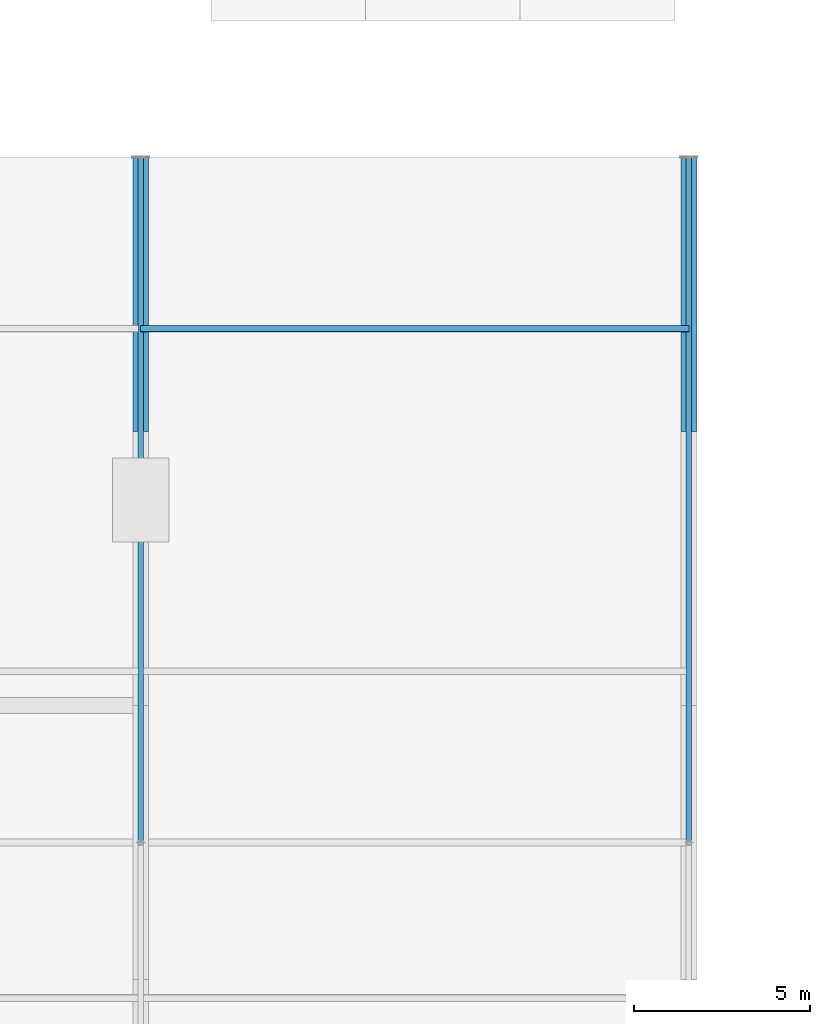
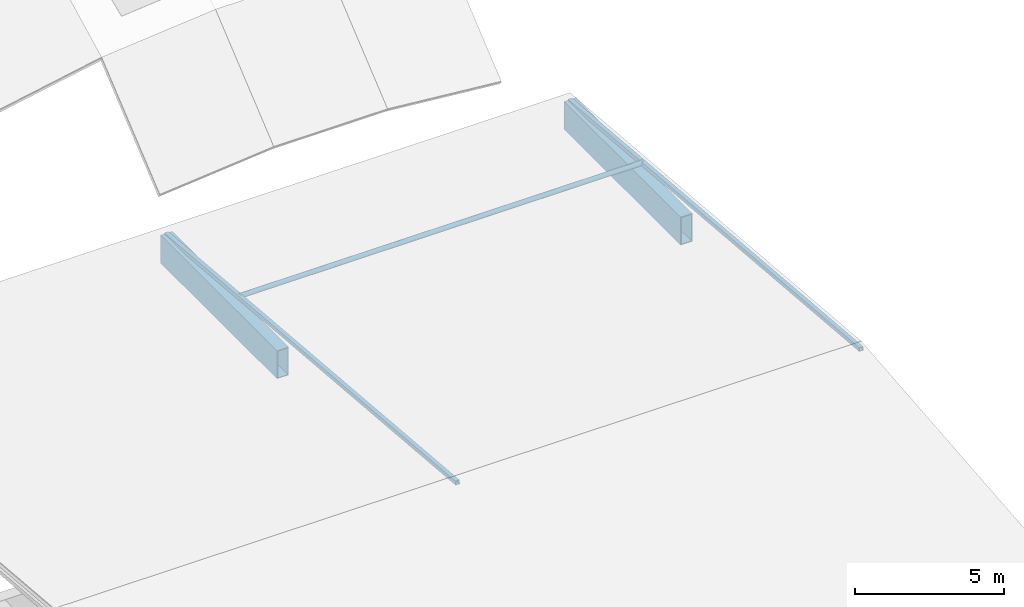
# One storey, part 7 of 45: 3 members, 2 beams.
"""IFC4 building model written with IfcOpenShell, lengths in metres."""

from ifc_helpers import new_model, si_unit, direction, frame, origin, origin_2d, place, context, subcontext, project, spatial, hollow_rectangle, hollow_circle, extrude, material, material_profile, profile_set, type_object, element, save


model = new_model("IFC4")

# Units and contexts
model_context = context("Model", 3, precision=1e-05, world=origin(), true_north=direction((0.0, 1.0)))
body_context = subcontext(model_context, "Body", "Model", "MODEL_VIEW")
ifc_project = project(units=[si_unit("LENGTHUNIT", "METRE"), si_unit("AREAUNIT", "SQUARE_METRE"), si_unit("VOLUMEUNIT", "CUBIC_METRE"), si_unit("PLANEANGLEUNIT", "RADIAN"), si_unit("MASSUNIT", "GRAM", prefix="KILO")], contexts=[model_context])

# Site, building, storey
site_placement = place(None, origin())
site = spatial("IfcSite", under=ifc_project, at=site_placement, CompositionType="ELEMENT")
building_placement = place(site_placement, origin())
building = spatial("IfcBuilding", under=site, at=building_placement, Name="Celorna Specialist Clinic", CompositionType="ELEMENT")
storey_placement = place(building_placement, frame((0.0, 0.0, 18.60009765625)))
storey = spatial("IfcBuildingStorey", under=building, at=storey_placement, Name="L04", CompositionType="ELEMENT", Elevation=18.60009765625)

# Beams
ifc_material = material(Name="Steel S355", Category="steel")
ifc_material_profile_1 = material_profile(ifc_material, hollow_rectangle(XDim=0.449951171875, YDim=1.14990234375, WallThickness=0.031982421875, at=origin_2d()), Name="BOX 450x1150x32")
ifc_profile_set_1 = profile_set([ifc_material_profile_1], Name="Steel S355")
beam_type = type_object("IfcBeamType", Name="BM-01", PredefinedType="BEAM", material=ifc_profile_set_1)
for number, where, z_axis, x_axis, name in (
    (1, (70.199951171875, 35.10009765625, -0.735107421875), (0.0, 1.0, 0.0), (-1.0, 0.0, 0.0), "Cantilever Pratt truss chord WP-047-WP-048"),
    (2, (85.800048828125, 35.10009765625, -0.735107421875), (0.0, 1.0, 0.0), (-1.0, 0.0, 0.0), "Cantilever Pratt truss chord WP-078-WP-079"),
):
    element("IfcBeam", number, at=place(storey_placement, frame(where, z_axis=z_axis, x_axis=x_axis)), inside=storey, type_object=beam_type, Name=name, PredefinedType="BEAM", context=body_context, shape_type="SweptSolid", body=[
        extrude(hollow_rectangle(XDim=0.449951171875, YDim=1.14990234375, WallThickness=0.031982421875, at=origin_2d()), origin(), (0.0, 0.0, 1.0), 7.7998046875),
    ])

# Members
ifc_material_profile_2 = material_profile(ifc_material, hollow_circle(Radius=0.096923828125, WallThickness=0.010009765625, at=origin_2d()), Name="CHS 193.7x10")
ifc_profile_set_2 = profile_set([ifc_material_profile_2], Name="Steel S355")
member_type_1 = type_object("IfcMemberType", Name="MB-04", PredefinedType="PURLIN", material=ifc_profile_set_2)
member_placement = place(storey_placement, frame((70.199951171875, 38.02490234375, 0.225341796875), z_axis=(1.0, 0.0, 0.0), x_axis=(0.0, 1.0, 0.0)))
element("IfcMember", 3, at=member_placement, inside=storey, type_object=member_type_1, Name="Roof purlin WP-324-WP-325", PredefinedType="PURLIN", context=body_context, shape_type="SweptSolid", body=[
    extrude(hollow_circle(Radius=0.096923828125, WallThickness=0.010009765625, at=origin_2d()), origin(), (0.0, 0.0, 1.0), 15.60009765625),
])
ifc_material_profile_3 = material_profile(ifc_material, hollow_rectangle(XDim=0.159912109375, YDim=0.159912109375, WallThickness=0.010009765625, at=origin_2d()), Name="SHS 160x160x10")
ifc_profile_set_3 = profile_set([ifc_material_profile_3], Name="Steel S355")
member_type_2 = type_object("IfcMemberType", Name="MB-09", PredefinedType="CHORD", material=ifc_profile_set_3)
for number, where, z_axis, x_axis, name in (
    (4, (70.199951171875, 23.39990234375, 1.468017578125), (0.0, 0.996352136107, -0.085337101401), (-1.0, 0.0, 0.0), "Pitched roof rafter chord WP-308-WP-318"),
    (5, (85.800048828125, 23.39990234375, 1.468017578125), (0.0, 0.996352136107, -0.085337101401), (-1.0, 0.0, 0.0), "Pitched roof rafter chord WP-310-WP-319"),
):
    element("IfcMember", number, at=place(storey_placement, frame(where, z_axis=z_axis, x_axis=x_axis)), inside=storey, type_object=member_type_2, Name=name, PredefinedType="CHORD", context=body_context, shape_type="SweptSolid", body=[
        extrude(hollow_rectangle(XDim=0.159912109375, YDim=0.159912109375, WallThickness=0.010009765625, at=origin_2d()), origin(), (0.0, 0.0, 1.0), 19.5712890625),
    ])

save(model, "model.ifc")
